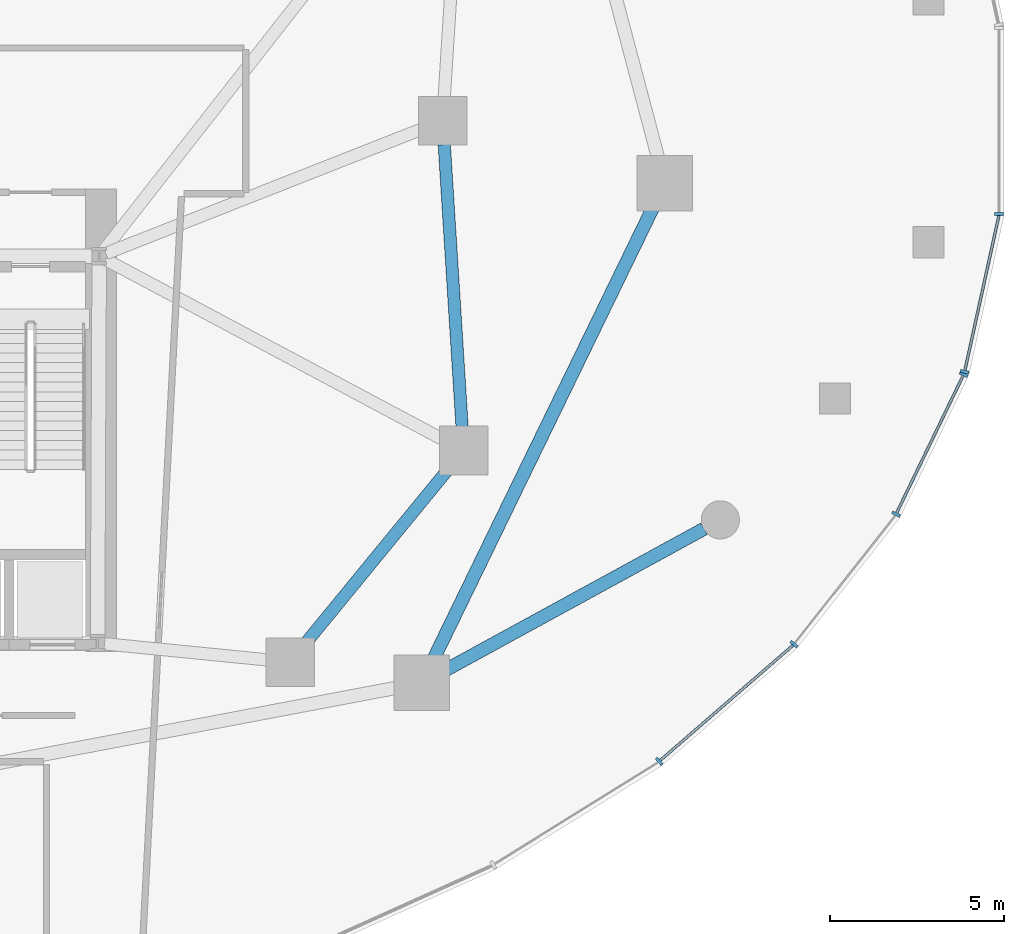
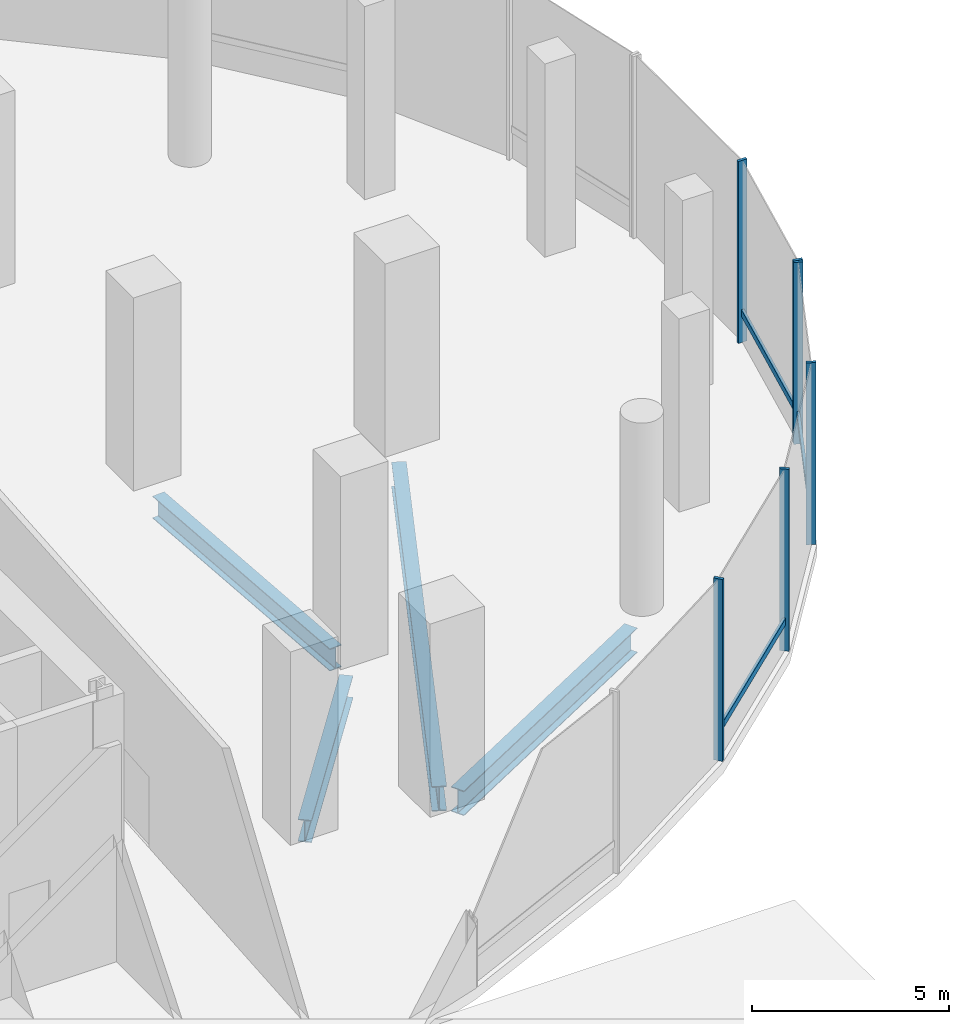
# One storey, part 8 of 20: 9 members, 4 beams, 2 elements without a shape of their own.
"""IFC4 building model written with IfcOpenShell, lengths in metres."""

import ifcopenshell
import ifcopenshell.guid

model = None  # the IFC model being written
_history = None  # IfcOwnerHistory: only IFC2X3 demands one
_inside = {}  # id of a spatial element -> (the spatial element, [elements in it])
_under = {}  # id of a project, library or spatial element -> (it, [spatial elements below it])
_declared = {}  # id of a project -> (the project, [libraries it declares])
_typed = {}  # id of a type object -> (the type object, [elements of that type])
_made_of = {}  # id of a material, layer set ... -> (it, [elements and type objects made of it])


def new_model(schema):
    """Start an empty IFC model of exactly this schema.

    Asked for "IFC4X3", IfcOpenShell would pick the latest addendum, in which some entities
    have other attributes; the version numbers below select the first issue.
    IFC2X3 requires an IfcOwnerHistory on every rooted entity: one is made here for all.
    """
    global model, _history
    if schema == "IFC4X3":
        model = ifcopenshell.file(schema_version=(4, 3, 0, 0))
    else:
        model = ifcopenshell.file(schema=schema)
    _inside.clear()
    _under.clear()
    _declared.clear()
    _typed.clear()
    _made_of.clear()
    _history = None
    if model.schema == "IFC2X3":
        org = make("IfcOrganization", Name="unknown")
        user = make(
            "IfcPersonAndOrganization",
            ThePerson=make("IfcPerson", FamilyName="unknown"),
            TheOrganization=org,
        )
        app = make(
            "IfcApplication",
            ApplicationDeveloper=org,
            Version="unknown",
            ApplicationFullName="unknown",
            ApplicationIdentifier="unknown",
        )
        _history = make(
            "IfcOwnerHistory",
            OwningUser=user,
            OwningApplication=app,
            ChangeAction="ADDED",
            CreationDate=0,
        )
    return model


def make(cls, **values):
    """One entity of the class cls with the attributes given. An attribute that is None is left unset."""
    return model.create_entity(
        cls, **{name: value for name, value in values.items() if value is not None}
    )


def rooted(cls, **values):
    """An entity with a GlobalId (a new one), such as an element, a storey or a relation."""
    return make(cls, GlobalId=ifcopenshell.guid.new(), OwnerHistory=_history, **values)


def si_unit(unit_type, name, prefix=None):
    """IfcSIUnit, for example si_unit("LENGTHUNIT", "METRE", prefix="MILLI")."""
    return make("IfcSIUnit", UnitType=unit_type, Prefix=prefix, Name=name)


def assignment(units):
    """IfcUnitAssignment: the units of a project."""
    return None if units is None else make("IfcUnitAssignment", Units=units)


def point(xyz):
    """IfcCartesianPoint."""
    return None if xyz is None else make("IfcCartesianPoint", Coordinates=xyz)


def direction(xyz):
    """IfcDirection."""
    return None if xyz is None else make("IfcDirection", DirectionRatios=xyz)


def frame(location, z_axis=None, x_axis=None):
    """IfcAxis2Placement3D, a coordinate frame: its origin and axes. An axis left out is left unset."""
    return make(
        "IfcAxis2Placement3D",
        Location=point(location),
        Axis=direction(z_axis),
        RefDirection=direction(x_axis),
    )


def frame_2d(location, x_axis=None):
    """IfcAxis2Placement2D, a coordinate frame in the plane: its origin and x axis."""
    return make(
        "IfcAxis2Placement2D", Location=point(location), RefDirection=direction(x_axis)
    )


def origin():
    """The frame at (0, 0, 0) with its axes left unset."""
    return frame((0.0, 0.0, 0.0))


def origin_2d():
    """The frame at (0, 0) in the plane with its x axis left unset."""
    return frame_2d((0.0, 0.0))


def place(relative_to, where):
    """IfcLocalPlacement: puts the frame where relative to a parent placement (None: the world)."""
    return make(
        "IfcLocalPlacement", PlacementRelTo=relative_to, RelativePlacement=where
    )


def context(
    kind, dimensions, precision=None, world=None, true_north=None, identifier=None
):
    """IfcGeometricRepresentationContext, for example the 3D "Model" context."""
    return make(
        "IfcGeometricRepresentationContext",
        ContextIdentifier=identifier,
        ContextType=kind,
        CoordinateSpaceDimension=dimensions,
        Precision=precision,
        WorldCoordinateSystem=world,
        TrueNorth=true_north,
    )


def subcontext(parent, identifier, kind, view, scale=None):
    """IfcGeometricRepresentationSubContext, for example "Body" below "Model"."""
    return make(
        "IfcGeometricRepresentationSubContext",
        ContextIdentifier=identifier,
        ContextType=kind,
        ParentContext=parent,
        TargetScale=scale,
        TargetView=view,
    )


def project(units=None, contexts=None):
    """IfcProject with its units and contexts."""
    return rooted(
        "IfcProject",
        Name="project",
        RepresentationContexts=contexts,
        UnitsInContext=assignment(units),
    )


def spatial(cls, under=None, at=None, **own):
    """A site, building, storey or space (cls), placed at a placement, below another one or the project."""
    s = rooted(cls, ObjectPlacement=at, **own)
    if under is not None:
        _under.setdefault(under.id(), (under, []))[1].append(s)
    return s


def profile(cls, at=None, kind="AREA", **sizes):
    """A parametric profile (cls). Its sizes go by their IFC names, for example OverallWidth=200.0."""
    return make(cls, ProfileType=kind, Position=at, **sizes)


def rectangle(**sizes):
    """IfcRectangleProfileDef."""
    return profile("IfcRectangleProfileDef", **sizes)


def i_section(**sizes):
    """IfcIShapeProfileDef."""
    return profile("IfcIShapeProfileDef", **sizes)


def extrude(swept, where, along, depth):
    """IfcExtrudedAreaSolid: the profile swept, set in the frame where, extruded along a direction by depth."""
    return make(
        "IfcExtrudedAreaSolid",
        SweptArea=swept,
        Position=where,
        ExtrudedDirection=direction(along),
        Depth=depth,
    )


def shape(context_of_items, identifier, shape_type, items):
    """IfcShapeRepresentation: the items that make up one representation, for example the "Body"."""
    return make(
        "IfcShapeRepresentation",
        ContextOfItems=context_of_items,
        RepresentationIdentifier=identifier,
        RepresentationType=shape_type,
        Items=items,
    )


def material(Name=None, Category=None):
    """IfcMaterial."""
    return make("IfcMaterial", Name=Name, Category=Category)


def material_profile(
    of_material, cross_section, Name=None, Category=None, Priority=None
):
    """IfcMaterialProfile: a cross section and its material."""
    return make(
        "IfcMaterialProfile",
        Name=Name,
        Material=of_material,
        Profile=cross_section,
        Priority=Priority,
        Category=Category,
    )


def profile_set(profiles, Name=None, composite=None):
    """IfcMaterialProfileSet."""
    return make(
        "IfcMaterialProfileSet",
        Name=Name,
        MaterialProfiles=profiles,
        CompositeProfile=composite,
    )


def made_of(thing, what):
    """Note that an element or type object is made of a material, layer set ...; save() writes the relation."""
    if what is not None:
        _made_of.setdefault(what.id(), (what, []))[1].append(thing)
    return thing


def type_object(cls, material=None, **own):
    """A type object (cls), such as IfcWallType, which elements share."""
    return made_of(rooted(cls, **own), material)


def element(
    cls,
    number,
    at=None,
    inside=None,
    cuts=None,
    type_object=None,
    material=None,
    context=None,
    identifier="Body",
    shape_type=None,
    held_by="IfcProductDefinitionShape",
    body=None,
    shapes=None,
    **own,
):
    """One element of the class cls, such as IfcWall. Its Tag is "e" and its number.

    at: its placement. inside: the storey or other place that contains it. cuts: it is an
    opening in that element (IfcRelVoidsElement). A single representation is given by context,
    identifier, shape_type and body (its items); several are given by shapes. held_by: the class
    of the entity that holds the representations. save() writes the other relations.
    """
    e = rooted(cls, Tag="e%d" % number, ObjectPlacement=at, **own)
    if body is not None:
        shapes = [shape(context, identifier, shape_type, body)]
    if shapes is not None:
        e.Representation = make(held_by, Representations=shapes)
    if inside is not None:
        _inside.setdefault(inside.id(), (inside, []))[1].append(e)
    if cuts is not None:
        rooted(
            "IfcRelVoidsElement", RelatingBuildingElement=cuts, RelatedOpeningElement=e
        )
    if type_object is not None:
        _typed.setdefault(type_object.id(), (type_object, []))[1].append(e)
    return made_of(e, material)


def aggregate(whole, parts):
    """IfcRelAggregates: a whole, such as a stair, and the parts it consists of."""
    return rooted("IfcRelAggregates", RelatingObject=whole, RelatedObjects=parts)


def save(model, path):
    """Write the relations noted so far, then the file.

    IfcRelAggregates (storeys below a building ...), IfcRelContainedInSpatialStructure (elements
    in a storey), IfcRelDefinesByType, IfcRelAssociatesMaterial and IfcRelDeclares: one each for
    every whole, place, type object, material and project.
    """
    for whole, parts in _under.values():
        aggregate(whole, parts)
    for where, things in _inside.values():
        rooted(
            "IfcRelContainedInSpatialStructure",
            RelatedElements=things,
            RelatingStructure=where,
        )
    for kind, things in _typed.values():
        rooted("IfcRelDefinesByType", RelatedObjects=things, RelatingType=kind)
    for what, things in _made_of.values():
        rooted("IfcRelAssociatesMaterial", RelatedObjects=things, RelatingMaterial=what)
    for by, libraries in _declared.values():
        rooted("IfcRelDeclares", RelatingContext=by, RelatedDefinitions=libraries)
    model.write(path)


model = new_model("IFC4")

# Units and contexts
model_context = context("Model", 3, precision=1e-05, world=origin(), true_north=direction((0.0, 1.0)))
body_context = subcontext(model_context, "Body", "Model", "MODEL_VIEW")
ifc_project = project(units=[si_unit("LENGTHUNIT", "METRE"), si_unit("AREAUNIT", "SQUARE_METRE"), si_unit("VOLUMEUNIT", "CUBIC_METRE"), si_unit("PLANEANGLEUNIT", "RADIAN"), si_unit("MASSUNIT", "GRAM", prefix="KILO"), si_unit("THERMODYNAMICTEMPERATUREUNIT", "KELVIN"), si_unit("POWERUNIT", "WATT")], contexts=[model_context])

# Site, building, storey
site_placement = place(None, origin())
site = spatial("IfcSite", under=ifc_project, at=site_placement, CompositionType="ELEMENT")
building_placement = place(site_placement, origin())
building = spatial("IfcBuilding", under=site, at=building_placement, Name="Cundina Bronze Exchange", CompositionType="ELEMENT")
storey_placement = place(building_placement, origin())
storey = spatial("IfcBuildingStorey", under=building, at=storey_placement, Name="L00", CompositionType="ELEMENT", Elevation=0.0)

# Beams
ifc_material_1 = material(Name="Steel ASTM A992 Grade 50", Category="steel")
ifc_material_profile_1 = material_profile(ifc_material_1, i_section(OverallWidth=0.35498046875, OverallDepth=0.695068359375, WebThickness=0.015380859375, FlangeThickness=0.02490234375, FilletRadius=0.01806640625, at=origin_2d()), Name="W27X146", Category="steel")
ifc_profile_set_1 = profile_set([ifc_material_profile_1], Name="Steel ASTM A992 Grade 50")
beam_type_1 = type_object("IfcBeamType", Name="BM-RING-W27", PredefinedType="USERDEFINED", material=ifc_profile_set_1)
beam_1_placement = place(storey_placement, frame((37.236083984375, -15.06787109375, -0.697509765625), z_axis=(0.633941925234, 0.773380653644, 0.0), x_axis=(-0.773380653644, 0.633941925234, 0.0)))
element("IfcBeam", 1, at=beam_1_placement, inside=storey, type_object=beam_type_1, Name="L00 E Inner Structural Ring Girder 02", ObjectType="GIRDER", PredefinedType="USERDEFINED", context=body_context, shape_type="SweptSolid", body=[
    extrude(i_section(OverallWidth=0.35498046875, OverallDepth=0.695068359375, WebThickness=0.015380859375, FlangeThickness=0.02490234375, FilletRadius=0.01806640625, at=origin_2d()), origin(), (0.0, 0.0, 1.0), 6.511474609375),
])
beam_2_placement = place(storey_placement, frame((41.756591796875, -8.8134765625, -0.697509765625), z_axis=(-0.063020359641, 0.998012241544, 0.0), x_axis=(-0.998012241544, -0.063020359641, 0.0)))
element("IfcBeam", 2, at=beam_2_placement, inside=storey, type_object=beam_type_1, Name="L00 E Inner Structural Ring Girder 03", ObjectType="GIRDER", PredefinedType="USERDEFINED", context=body_context, shape_type="SweptSolid", body=[
    extrude(i_section(OverallWidth=0.35498046875, OverallDepth=0.695068359375, WebThickness=0.015380859375, FlangeThickness=0.02490234375, FilletRadius=0.01806640625, at=origin_2d()), origin(), (0.0, 0.0, 1.0), 8.14306640625),
])
ifc_material_profile_2 = material_profile(ifc_material_1, i_section(OverallWidth=0.381103515625, OverallDepth=0.77294921875, WebThickness=0.0166015625, FlangeThickness=0.027099609375, FilletRadius=0.01904296875, at=origin_2d()), Name="W30X173", Category="steel")
ifc_profile_set_2 = profile_set([ifc_material_profile_2], Name="Steel ASTM A992 Grade 50")
beam_type_2 = type_object("IfcBeamType", Name="BM-RING-W30", PredefinedType="USERDEFINED", material=ifc_profile_set_2)
beam_3_placement = place(storey_placement, frame((48.727783203125, -11.758056640625, -0.736572265625), z_axis=(-0.877507733759, -0.479562485182, 0.0), x_axis=(0.479562485182, -0.877507733759, 0.0)))
element("IfcBeam", 3, at=beam_3_placement, inside=storey, type_object=beam_type_2, Name="L00 Podium Colonnade Tie Beam 08", ObjectType="GIRDER", PredefinedType="USERDEFINED", context=body_context, shape_type="SweptSolid", body=[
    extrude(i_section(OverallWidth=0.381103515625, OverallDepth=0.77294921875, WebThickness=0.0166015625, FlangeThickness=0.027099609375, FilletRadius=0.01904296875, at=origin_2d()), origin(), (0.0, 0.0, 1.0), 8.474365234375),
])
beam_4_placement = place(storey_placement, frame((40.944580078125, -15.4912109375, -0.736572265625), z_axis=(0.437200307007, 0.899364159589, 0.0), x_axis=(-0.899364159589, 0.437200307007, 0.0)))
element("IfcBeam", 4, at=beam_4_placement, inside=storey, type_object=beam_type_2, Name="L00 E Podium Ring Girder 06", ObjectType="GIRDER", PredefinedType="USERDEFINED", context=body_context, shape_type="SweptSolid", body=[
    extrude(i_section(OverallWidth=0.381103515625, OverallDepth=0.77294921875, WebThickness=0.0166015625, FlangeThickness=0.027099609375, FilletRadius=0.01904296875, at=origin_2d()), origin(), (0.0, 0.0, 1.0), 14.43505859375),
])

# Curtain wall, members
ifc_material_2 = material(Name="Anodised Bronze Aluminium 6063-T6", Category="aluminium")
curtain_wall_type = type_object("IfcCurtainWallType", Name="CWS-POD-CONC", PredefinedType="NOTDEFINED", material=ifc_material_2)
curtain_wall_1_placement = place(storey_placement, origin())
curtain_wall_1 = element("IfcCurtainWall", 5, at=curtain_wall_1_placement, inside=storey, type_object=curtain_wall_type, Name="L00 CW-01 Curtain Wall Run CWR-L00-06", PredefinedType="NOTDEFINED")
ifc_material_profile_3 = material_profile(ifc_material_2, rectangle(XDim=0.0849609375, YDim=0.25, at=origin_2d()), Name="AL85X250", Category="aluminium")
ifc_profile_set_3 = profile_set([ifc_material_profile_3], Name="Anodised Bronze Aluminium 6063-T6")
member_type_1 = type_object("IfcMemberType", Name="CWM-MUL-250", PredefinedType="MULLION", material=ifc_profile_set_3)
member_1_placement = place(storey_placement, frame((47.43701171875, -18.45849609375, 0.0), z_axis=(0.0, 0.0, 1.0), x_axis=(0.755510544084, 0.6551364879, 0.0)))
member_1 = element("IfcMember", 6, at=member_1_placement, type_object=member_type_1, Name="CW-01 Mullion 3", PredefinedType="MULLION", context=body_context, shape_type="SweptSolid", body=[
    extrude(rectangle(XDim=0.0849609375, YDim=0.25, at=origin_2d()), origin(), (0.0, 0.0, 1.0), 5.64990234375),
])
member_2_placement = place(storey_placement, frame((51.320068359375, -15.08056640625, 0.0), z_axis=(0.0, 0.0, 1.0), x_axis=(0.61950505541, 0.784992666412, 0.0)))
member_2 = element("IfcMember", 7, at=member_2_placement, type_object=member_type_1, Name="CW-01 Mullion 4", PredefinedType="MULLION", context=body_context, shape_type="SweptSolid", body=[
    extrude(rectangle(XDim=0.0849609375, YDim=0.25, at=origin_2d()), origin(), (0.0, 0.0, 1.0), 5.64990234375),
])
member_3_placement = place(storey_placement, frame((54.263427734375, -11.335205078125, 0.0), z_axis=(0.0, 0.0, 1.0), x_axis=(0.435702445497, 0.900090761528, 0.0)))
member_3 = element("IfcMember", 8, at=member_3_placement, type_object=member_type_1, Name="CW-01 Mullion 5", PredefinedType="MULLION", context=body_context, shape_type="SweptSolid", body=[
    extrude(rectangle(XDim=0.0849609375, YDim=0.25, at=origin_2d()), origin(), (0.0, 0.0, 1.0), 5.64990234375),
])
member_4_placement = place(storey_placement, frame((56.211669921875, -7.311279296875, 0.0), z_axis=(0.0, 0.0, 1.0), x_axis=(0.435702445497, 0.900090761528, 0.0)))
member_4 = element("IfcMember", 9, at=member_4_placement, type_object=member_type_1, Name="CW-01 End Mullion", PredefinedType="MULLION", context=body_context, shape_type="SweptSolid", body=[
    extrude(rectangle(XDim=0.0849609375, YDim=0.25, at=origin_2d()), origin(), (0.0, 0.0, 1.0), 5.64990234375),
])

curtain_wall_2_placement = place(storey_placement, origin())
curtain_wall_2 = element("IfcCurtainWall", 10, at=curtain_wall_2_placement, inside=storey, type_object=curtain_wall_type, Name="L00 CW-01 Curtain Wall Run CWR-L00-07", PredefinedType="NOTDEFINED")
member_5_placement = place(storey_placement, frame((56.239013671875, -7.231689453125, 0.0), z_axis=(0.0, 0.0, 1.0), x_axis=(0.214564862428, 0.976709741843, 0.0)))
member_5 = element("IfcMember", 11, at=member_5_placement, type_object=member_type_1, Name="CW-01 Mullion 1", PredefinedType="MULLION", context=body_context, shape_type="SweptSolid", body=[
    extrude(rectangle(XDim=0.0849609375, YDim=0.25, at=origin_2d()), origin(), (0.0, 0.0, 1.0), 5.64990234375),
])
member_6_placement = place(storey_placement, frame((57.22900390625, -2.680419921875, 0.0), z_axis=(0.0, 0.0, 1.0), x_axis=(0.0, 1.0, 0.0)))
member_6 = element("IfcMember", 12, at=member_6_placement, type_object=member_type_1, Name="CW-01 Mullion 2", PredefinedType="MULLION", context=body_context, shape_type="SweptSolid", body=[
    extrude(rectangle(XDim=0.0849609375, YDim=0.25, at=origin_2d()), origin(), (0.0, 0.0, 1.0), 5.64990234375),
])

# Member
ifc_material_profile_4 = material_profile(ifc_material_2, rectangle(XDim=0.080078125, YDim=0.2099609375, at=origin_2d()), Name="AL80X210", Category="aluminium")
ifc_profile_set_4 = profile_set([ifc_material_profile_4], Name="Anodised Bronze Aluminium 6063-T6")
member_type_2 = type_object("IfcMemberType", Name="CWM-TRN-210", PredefinedType="USERDEFINED", material=ifc_profile_set_4)
member_7_placement = place(storey_placement, frame((47.472412109375, -18.427734375, 0.919921875), z_axis=(0.755563201238, 0.655075758164, 0.0), x_axis=(-0.655075758164, 0.755563201238, 0.0)))
member_7 = element("IfcMember", 13, at=member_7_placement, type_object=member_type_2, Name="CW-01 Spandrel Transom 3", ObjectType="TRANSOM", PredefinedType="USERDEFINED", context=body_context, shape_type="SweptSolid", body=[
    extrude(rectangle(XDim=0.080078125, YDim=0.2099609375, at=origin_2d()), origin(), (0.0, 0.0, 1.0), 5.055908203125),
])

member_8_placement = place(storey_placement, frame((54.28369140625, -11.293212890625, 0.919921875), z_axis=(0.435776682523, 0.900054822202, 0.0), x_axis=(-0.900054822202, 0.435776682523, 0.0)))
member_8 = element("IfcMember", 14, at=member_8_placement, type_object=member_type_2, Name="CW-01 Spandrel Transom 5", ObjectType="TRANSOM", PredefinedType="USERDEFINED", context=body_context, shape_type="SweptSolid", body=[
    extrude(rectangle(XDim=0.080078125, YDim=0.2099609375, at=origin_2d()), origin(), (0.0, 0.0, 1.0), 4.377197265625),
])

aggregate(curtain_wall_1, [member_1, member_7, member_2, member_3, member_4, member_8])

member_9_placement = place(storey_placement, frame((56.249267578125, -7.18603515625, 0.919921875), z_axis=(0.214447065297, 0.976735612224, 0.0), x_axis=(-0.976735612224, 0.214447065297, 0.0)))
member_9 = element("IfcMember", 15, at=member_9_placement, type_object=member_type_2, Name="CW-01 Spandrel Transom 1", ObjectType="TRANSOM", PredefinedType="USERDEFINED", context=body_context, shape_type="SweptSolid", body=[
    extrude(rectangle(XDim=0.080078125, YDim=0.2099609375, at=origin_2d()), origin(), (0.0, 0.0, 1.0), 4.571044921875),
])

aggregate(curtain_wall_2, [member_5, member_9, member_6])

save(model, "model.ifc")
